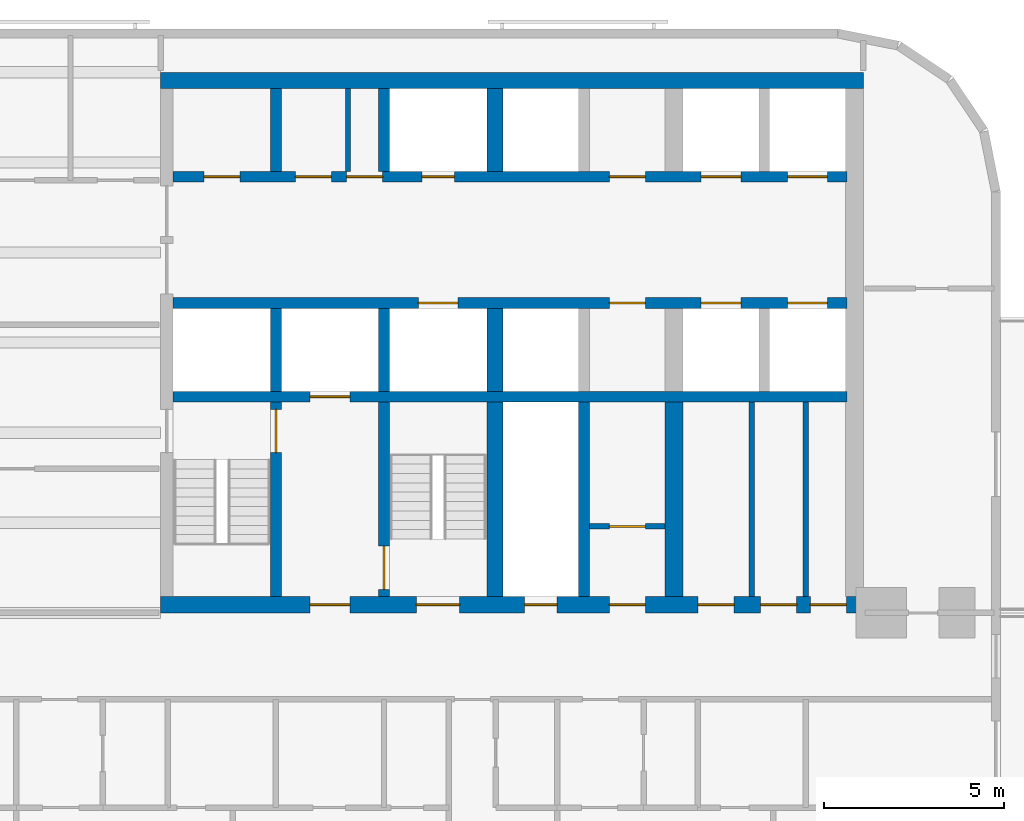
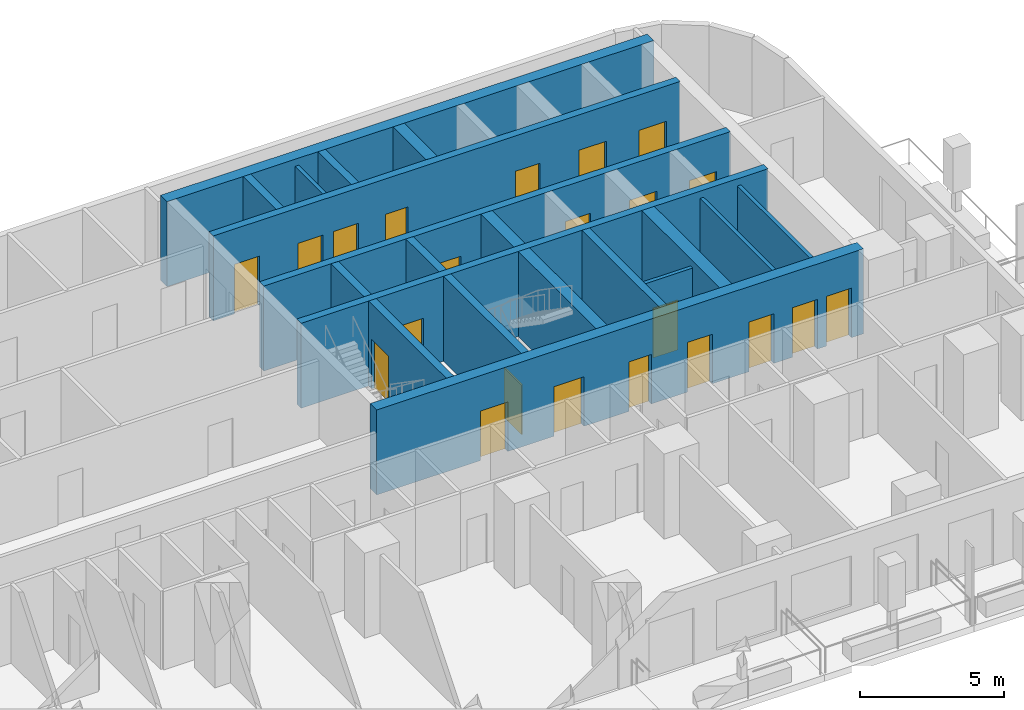
# One storey, part 8 of 15: 22 doors, 20 walls, 22 openings.
"""IFC4 building model written with IfcOpenShell, lengths in metres."""

from ifc_helpers import new_model, si_unit, direction, frame, frame_2d, origin, place, context, subcontext, project, spatial, rectangle, extrude, material, layer, layer_set, type_object, element, fill, save


model = new_model("IFC4")

# Units and contexts
model_context = context("Model", 3, precision=1e-05, world=origin(), true_north=direction((0.0, 1.0)))
body_context = subcontext(model_context, "Body", "Model", "MODEL_VIEW")
ifc_project = project(units=[si_unit("LENGTHUNIT", "METRE"), si_unit("AREAUNIT", "SQUARE_METRE"), si_unit("VOLUMEUNIT", "CUBIC_METRE"), si_unit("PLANEANGLEUNIT", "RADIAN"), si_unit("MASSUNIT", "GRAM", prefix="KILO")], contexts=[model_context])

# Site, building, storey
site_placement = place(None, origin())
site = spatial("IfcSite", under=ifc_project, at=site_placement, CompositionType="ELEMENT")
building_placement = place(site_placement, origin())
building = spatial("IfcBuilding", under=site, at=building_placement, Name="Torana Hotel and Residences", CompositionType="ELEMENT")
storey_placement = place(building_placement, frame((0.0, 0.0, 49.199951171875)))
storey = spatial("IfcBuildingStorey", under=building, at=storey_placement, Name="L11", CompositionType="ELEMENT", Elevation=49.199951171875)

# Wall, openings, doors
ifc_material_1 = material(Name="Concrete C80/95", Category="concrete")
ifc_layer_1 = layer(ifc_material_1, 0.300048828125)
ifc_layer_set_1 = layer_set([ifc_layer_1], Name="CORE WALL 300 C80/95")
wall_type_1 = type_object("IfcWallType", Name="CORE WALL 300 C80/95", PredefinedType="SHEAR", material=ifc_layer_set_1)
wall_1_placement = place(storey_placement, frame((10.35009765625, -2.89990234375, 0.0), z_axis=(0.0, 0.0, 1.0), x_axis=(1.0, 0.0, 0.0)))
wall_1 = element("IfcWall", 1, at=wall_1_placement, inside=storey, type_object=wall_type_1, Name="Core wall E row-N", PredefinedType="SHEAR", context=body_context, shape_type="SweptSolid", body=[
    extrude(rectangle(XDim=18.699951171875, YDim=0.300048828125, at=frame_2d((9.35009765625, 0.0))), origin(), (0.0, 0.0, 1.0), 3.60009765625),
])
opening_1_placement = place(wall_1_placement, frame((14.64990234375, 0.0, 0.0)))
opening_1 = element("IfcOpeningElement", 2, at=opening_1_placement, cuts=wall_1, Name="Opening LD", PredefinedType="OPENING", context=body_context, shape_type="SweptSolid", body=[
    extrude(rectangle(XDim=1.10009765625, YDim=2.10009765625, at=frame_2d((0.550048828125, 1.050048828125))), frame((0.0, 0.159912109375, 0.0), z_axis=(0.0, -1.0, 0.0), x_axis=(1.0, 0.0, 0.0)), (0.0, 0.0, 1.0), 0.320068359375),
])
opening_2_placement = place(wall_1_placement, frame((17.050048828125, 0.0, 0.0)))
opening_2 = element("IfcOpeningElement", 3, at=opening_2_placement, cuts=wall_1, Name="Opening LD", PredefinedType="OPENING", context=body_context, shape_type="SweptSolid", body=[
    extrude(rectangle(XDim=1.10009765625, YDim=2.10009765625, at=frame_2d((0.550048828125, 1.050048828125))), frame((0.0, 0.159912109375, 0.0), z_axis=(0.0, -1.0, 0.0), x_axis=(1.0, 0.0, 0.0)), (0.0, 0.0, 1.0), 0.320068359375),
])
opening_3_placement = place(wall_1_placement, frame((6.89990234375, 0.0, 0.0)))
opening_3 = element("IfcOpeningElement", 4, at=opening_3_placement, cuts=wall_1, Name="Opening L11-29", PredefinedType="OPENING", context=body_context, shape_type="SweptSolid", body=[
    extrude(rectangle(XDim=0.89990234375, YDim=2.10009765625, at=frame_2d((0.449951171875, 1.050048828125))), frame((0.0, 0.159912109375, 0.0), z_axis=(0.0, -1.0, 0.0), x_axis=(1.0, 0.0, 0.0)), (0.0, 0.0, 1.0), 0.320068359375),
])
opening_4_placement = place(wall_1_placement, frame((0.85009765625, 0.0, 0.0)))
opening_4 = element("IfcOpeningElement", 5, at=opening_4_placement, cuts=wall_1, Name="Opening L11-30", PredefinedType="OPENING", context=body_context, shape_type="SweptSolid", body=[
    extrude(rectangle(XDim=1.0, YDim=2.10009765625, at=frame_2d((0.5, 1.050048828125))), frame((0.0, 0.159912109375, 0.0), z_axis=(0.0, -1.0, 0.0), x_axis=(1.0, 0.0, 0.0)), (0.0, 0.0, 1.0), 0.320068359375),
])
opening_5_placement = place(wall_1_placement, frame((3.387451171875, 0.0, 0.0)))
opening_5 = element("IfcOpeningElement", 6, at=opening_5_placement, cuts=wall_1, Name="Opening L11-31", PredefinedType="OPENING", context=body_context, shape_type="SweptSolid", body=[
    extrude(rectangle(XDim=1.0, YDim=2.10009765625, at=frame_2d((0.5, 1.050048828125))), frame((0.0, 0.159912109375, 0.0), z_axis=(0.0, -1.0, 0.0), x_axis=(1.0, 0.0, 0.0)), (0.0, 0.0, 1.0), 0.320068359375),
])
opening_6_placement = place(wall_1_placement, frame((4.8125, 0.0, 0.0)))
opening_6 = element("IfcOpeningElement", 7, at=opening_6_placement, cuts=wall_1, Name="Opening L11-32", PredefinedType="OPENING", context=body_context, shape_type="SweptSolid", body=[
    extrude(rectangle(XDim=1.0, YDim=2.10009765625, at=frame_2d((0.5, 1.050048828125))), frame((0.0, 0.159912109375, 0.0), z_axis=(0.0, -1.0, 0.0), x_axis=(1.0, 0.0, 0.0)), (0.0, 0.0, 1.0), 0.320068359375),
])
opening_7_placement = place(wall_1_placement, frame((12.10009765625, 0.0, 0.0)))
opening_7 = element("IfcOpeningElement", 8, at=opening_7_placement, cuts=wall_1, Name="Opening L11-33", PredefinedType="OPENING", context=body_context, shape_type="SweptSolid", body=[
    extrude(rectangle(XDim=1.0, YDim=2.10009765625, at=frame_2d((0.5, 1.050048828125))), frame((0.0, 0.159912109375, 0.0), z_axis=(0.0, -1.0, 0.0), x_axis=(1.0, 0.0, 0.0)), (0.0, 0.0, 1.0), 0.320068359375),
])
ifc_material_2 = material(Name="Steel S235", Category="steel")
door_type_1 = type_object("IfcDoorType", Name="CORE ROOM FIRE DOOR D14 1000x2100", OperationType="SINGLE_SWING_LEFT", PredefinedType="DOOR", material=ifc_material_2)
door_1_placement = place(opening_4_placement, origin())
door_1 = element("IfcDoor", 9, at=door_1_placement, inside=storey, type_object=door_type_1, Name="N0 door L11", OperationType="SINGLE_SWING_RIGHT", OverallHeight=2.10009765625, OverallWidth=1.0, PredefinedType="DOOR", context=body_context, shape_type="SweptSolid", body=[
    extrude(rectangle(XDim=1.0, YDim=2.10009765625, at=frame_2d((0.5, 1.050048828125))), frame((0.0, 0.02490234375, 0.0), z_axis=(0.0, -1.0, 0.0), x_axis=(1.0, 0.0, 0.0)), (0.0, 0.0, 1.0), 0.050048828125),
])
fill(opening_4, door_1)
door_2_placement = place(opening_5_placement, origin())
door_2 = element("IfcDoor", 10, at=door_2_placement, inside=storey, type_object=door_type_1, Name="N1A door L11", OperationType="SINGLE_SWING_RIGHT", OverallHeight=2.10009765625, OverallWidth=1.0, PredefinedType="DOOR", context=body_context, shape_type="SweptSolid", body=[
    extrude(rectangle(XDim=1.0, YDim=2.10009765625, at=frame_2d((0.5, 1.050048828125))), frame((0.0, 0.02490234375, 0.0), z_axis=(0.0, -1.0, 0.0), x_axis=(1.0, 0.0, 0.0)), (0.0, 0.0, 1.0), 0.050048828125),
])
fill(opening_5, door_2)
door_3_placement = place(opening_6_placement, origin())
door_3 = element("IfcDoor", 11, at=door_3_placement, inside=storey, type_object=door_type_1, Name="N1B door L11", OperationType="SINGLE_SWING_LEFT", OverallHeight=2.10009765625, OverallWidth=1.0, PredefinedType="DOOR", context=body_context, shape_type="SweptSolid", body=[
    extrude(rectangle(XDim=1.0, YDim=2.10009765625, at=frame_2d((0.5, 1.050048828125))), frame((0.0, 0.02490234375, 0.0), z_axis=(0.0, -1.0, 0.0), x_axis=(1.0, 0.0, 0.0)), (0.0, 0.0, 1.0), 0.050048828125),
])
fill(opening_6, door_3)
door_4_placement = place(opening_7_placement, origin())
door_4 = element("IfcDoor", 12, at=door_4_placement, inside=storey, type_object=door_type_1, Name="Free-M3 door L11", OperationType="SINGLE_SWING_RIGHT", OverallHeight=2.10009765625, OverallWidth=1.0, PredefinedType="DOOR", context=body_context, shape_type="SweptSolid", body=[
    extrude(rectangle(XDim=1.0, YDim=2.10009765625, at=frame_2d((0.5, 1.050048828125))), frame((0.0, 0.02490234375, 0.0), z_axis=(0.0, -1.0, 0.0), x_axis=(1.0, 0.0, 0.0)), (0.0, 0.0, 1.0), 0.050048828125),
])
fill(opening_7, door_4)
ifc_material_3 = material(Name="Stainless steel 316", Category="steel")
door_type_2 = type_object("IfcDoorType", Name="LIFT LANDING DOOR LD 1100x2100", OperationType="DOUBLE_DOOR_SLIDING", PredefinedType="USERDEFINED", material=ifc_material_3)
door_5_placement = place(opening_1_placement, origin())
door_5 = element("IfcDoor", 13, at=door_5_placement, inside=storey, type_object=door_type_2, Name="Lift landing door L5 L11", ObjectType="LIFT LANDING DOOR", OperationType="DOUBLE_DOOR_SLIDING", OverallHeight=2.10009765625, OverallWidth=1.10009765625, PredefinedType="USERDEFINED", context=body_context, shape_type="SweptSolid", body=[
    extrude(rectangle(XDim=1.10009765625, YDim=2.10009765625, at=frame_2d((0.550048828125, 1.050048828125))), frame((0.0, 0.02490234375, 0.0), z_axis=(0.0, -1.0, 0.0), x_axis=(1.0, 0.0, 0.0)), (0.0, 0.0, 1.0), 0.050048828125),
])
fill(opening_1, door_5)
door_6_placement = place(opening_2_placement, origin())
door_6 = element("IfcDoor", 14, at=door_6_placement, inside=storey, type_object=door_type_2, Name="Lift landing door L6 L11", ObjectType="LIFT LANDING DOOR", OperationType="DOUBLE_DOOR_SLIDING", OverallHeight=2.10009765625, OverallWidth=1.10009765625, PredefinedType="USERDEFINED", context=body_context, shape_type="SweptSolid", body=[
    extrude(rectangle(XDim=1.10009765625, YDim=2.10009765625, at=frame_2d((0.550048828125, 1.050048828125))), frame((0.0, 0.02490234375, 0.0), z_axis=(0.0, -1.0, 0.0), x_axis=(1.0, 0.0, 0.0)), (0.0, 0.0, 1.0), 0.050048828125),
])
fill(opening_2, door_6)
ifc_material_4 = material(Name="Steel S235", Category="steel")
door_type_3 = type_object("IfcDoorType", Name="RISER ACCESS DOOR D5 900x2100", OperationType="SINGLE_SWING_LEFT", PredefinedType="DOOR", material=ifc_material_4)
door_7_placement = place(opening_3_placement, origin())
door_7 = element("IfcDoor", 15, at=door_7_placement, inside=storey, type_object=door_type_3, Name="N2 door L11", OperationType="SINGLE_SWING_RIGHT", OverallHeight=2.10009765625, OverallWidth=0.89990234375, PredefinedType="DOOR", context=body_context, shape_type="SweptSolid", body=[
    extrude(rectangle(XDim=0.89990234375, YDim=2.10009765625, at=frame_2d((0.449951171875, 1.050048828125))), frame((0.0, 0.02490234375, 0.0), z_axis=(0.0, -1.0, 0.0), x_axis=(1.0, 0.0, 0.0)), (0.0, 0.0, 1.0), 0.050048828125),
])
fill(opening_3, door_7)

wall_2_placement = place(storey_placement, frame((10.35009765625, -6.39990234375, 0.0), z_axis=(0.0, 0.0, 1.0), x_axis=(1.0, 0.0, 0.0)))
wall_2 = element("IfcWall", 16, at=wall_2_placement, inside=storey, type_object=wall_type_1, Name="Core wall E row-S", PredefinedType="SHEAR", context=body_context, shape_type="SweptSolid", body=[
    extrude(rectangle(XDim=18.699951171875, YDim=0.300048828125, at=frame_2d((9.35009765625, 0.0))), origin(), (0.0, 0.0, 1.0), 3.60009765625),
])
opening_8_placement = place(wall_2_placement, frame((14.64990234375, 0.0, 0.0)))
opening_8 = element("IfcOpeningElement", 17, at=opening_8_placement, cuts=wall_2, Name="Opening LD", PredefinedType="OPENING", context=body_context, shape_type="SweptSolid", body=[
    extrude(rectangle(XDim=1.10009765625, YDim=2.10009765625, at=frame_2d((0.550048828125, 1.050048828125))), frame((0.0, 0.159912109375, 0.0), z_axis=(0.0, -1.0, 0.0), x_axis=(1.0, 0.0, 0.0)), (0.0, 0.0, 1.0), 0.320068359375),
])
opening_9_placement = place(wall_2_placement, frame((17.050048828125, 0.0, 0.0)))
opening_9 = element("IfcOpeningElement", 18, at=opening_9_placement, cuts=wall_2, Name="Opening LD", PredefinedType="OPENING", context=body_context, shape_type="SweptSolid", body=[
    extrude(rectangle(XDim=1.10009765625, YDim=2.10009765625, at=frame_2d((0.550048828125, 1.050048828125))), frame((0.0, 0.159912109375, 0.0), z_axis=(0.0, -1.0, 0.0), x_axis=(1.0, 0.0, 0.0)), (0.0, 0.0, 1.0), 0.320068359375),
])
opening_10_placement = place(wall_2_placement, frame((6.800048828125, 0.0, 0.0)))
opening_10 = element("IfcOpeningElement", 19, at=opening_10_placement, cuts=wall_2, Name="Opening LD", PredefinedType="OPENING", context=body_context, shape_type="SweptSolid", body=[
    extrude(rectangle(XDim=1.10009765625, YDim=2.10009765625, at=frame_2d((0.550048828125, 1.050048828125))), frame((0.0, 0.159912109375, 0.0), z_axis=(0.0, -1.0, 0.0), x_axis=(1.0, 0.0, 0.0)), (0.0, 0.0, 1.0), 0.320068359375),
])
opening_11_placement = place(wall_2_placement, frame((12.10009765625, 0.0, 0.0)))
opening_11 = element("IfcOpeningElement", 20, at=opening_11_placement, cuts=wall_2, Name="Opening L11-34", PredefinedType="OPENING", context=body_context, shape_type="SweptSolid", body=[
    extrude(rectangle(XDim=1.0, YDim=2.10009765625, at=frame_2d((0.5, 1.050048828125))), frame((0.0, 0.159912109375, 0.0), z_axis=(0.0, -1.0, 0.0), x_axis=(1.0, 0.0, 0.0)), (0.0, 0.0, 1.0), 0.320068359375),
])
door_8_placement = place(opening_11_placement, frame((0.5, 0.0, 0.0), z_axis=(0.0, 0.0, 1.0), x_axis=(-1.0, 0.0, 0.0)))
door_8 = element("IfcDoor", 21, at=door_8_placement, inside=storey, type_object=door_type_1, Name="Free-M4 door L11", OperationType="SINGLE_SWING_LEFT", OverallHeight=2.10009765625, OverallWidth=1.0, PredefinedType="DOOR", context=body_context, shape_type="SweptSolid", body=[
    extrude(rectangle(XDim=1.0, YDim=2.10009765625, at=frame_2d((0.0, 1.050048828125))), frame((0.0, -0.02490234375, 0.0), z_axis=(0.0, 1.0, 0.0), x_axis=(-1.0, 0.0, 0.0)), (0.0, 0.0, 1.0), 0.050048828125),
])
fill(opening_11, door_8)
door_9_placement = place(opening_8_placement, origin())
door_9 = element("IfcDoor", 22, at=door_9_placement, inside=storey, type_object=door_type_2, Name="Lift landing door L7 L11", ObjectType="LIFT LANDING DOOR", OperationType="DOUBLE_DOOR_SLIDING", OverallHeight=2.10009765625, OverallWidth=1.10009765625, PredefinedType="USERDEFINED", context=body_context, shape_type="SweptSolid", body=[
    extrude(rectangle(XDim=1.10009765625, YDim=2.10009765625, at=frame_2d((0.550048828125, 1.050048828125))), frame((0.0, 0.02490234375, 0.0), z_axis=(0.0, -1.0, 0.0), x_axis=(1.0, 0.0, 0.0)), (0.0, 0.0, 1.0), 0.050048828125),
])
fill(opening_8, door_9)
door_10_placement = place(opening_9_placement, origin())
door_10 = element("IfcDoor", 23, at=door_10_placement, inside=storey, type_object=door_type_2, Name="Lift landing door L8 L11", ObjectType="LIFT LANDING DOOR", OperationType="DOUBLE_DOOR_SLIDING", OverallHeight=2.10009765625, OverallWidth=1.10009765625, PredefinedType="USERDEFINED", context=body_context, shape_type="SweptSolid", body=[
    extrude(rectangle(XDim=1.10009765625, YDim=2.10009765625, at=frame_2d((0.550048828125, 1.050048828125))), frame((0.0, 0.02490234375, 0.0), z_axis=(0.0, -1.0, 0.0), x_axis=(1.0, 0.0, 0.0)), (0.0, 0.0, 1.0), 0.050048828125),
])
fill(opening_9, door_10)
door_11_placement = place(opening_10_placement, origin())
door_11 = element("IfcDoor", 24, at=door_11_placement, inside=storey, type_object=door_type_2, Name="Lift landing door SV2 L11", ObjectType="LIFT LANDING DOOR", OperationType="DOUBLE_DOOR_SLIDING", OverallHeight=2.10009765625, OverallWidth=1.10009765625, PredefinedType="USERDEFINED", context=body_context, shape_type="SweptSolid", body=[
    extrude(rectangle(XDim=1.10009765625, YDim=2.10009765625, at=frame_2d((0.550048828125, 1.050048828125))), frame((0.0, 0.02490234375, 0.0), z_axis=(0.0, -1.0, 0.0), x_axis=(1.0, 0.0, 0.0)), (0.0, 0.0, 1.0), 0.050048828125),
])
fill(opening_10, door_11)

# Wall, opening, door
wall_3_placement = place(storey_placement, frame((10.35009765625, -9.0, 0.0), z_axis=(0.0, 0.0, 1.0), x_axis=(1.0, 0.0, 0.0)))
wall_3 = element("IfcWall", 25, at=wall_3_placement, inside=storey, type_object=wall_type_1, Name="Core wall E band", PredefinedType="SHEAR", context=body_context, shape_type="SweptSolid", body=[
    extrude(rectangle(XDim=18.699951171875, YDim=0.300048828125, at=frame_2d((9.35009765625, 0.0))), origin(), (0.0, 0.0, 1.0), 3.60009765625),
])
opening_12_placement = place(wall_3_placement, frame((3.800048828125, 0.0, 0.0)))
opening_12 = element("IfcOpeningElement", 26, at=opening_12_placement, cuts=wall_3, Name="Opening LD", PredefinedType="OPENING", context=body_context, shape_type="SweptSolid", body=[
    extrude(rectangle(XDim=1.10009765625, YDim=2.10009765625, at=frame_2d((0.550048828125, 1.050048828125))), frame((0.0, 0.159912109375, 0.0), z_axis=(0.0, -1.0, 0.0), x_axis=(1.0, 0.0, 0.0)), (0.0, 0.0, 1.0), 0.320068359375),
])
door_12_placement = place(opening_12_placement, origin())
door_12 = element("IfcDoor", 27, at=door_12_placement, inside=storey, type_object=door_type_2, Name="Lift landing door FF2 L11", ObjectType="LIFT LANDING DOOR", OperationType="DOUBLE_DOOR_SLIDING", OverallHeight=2.10009765625, OverallWidth=1.10009765625, PredefinedType="USERDEFINED", context=body_context, shape_type="SweptSolid", body=[
    extrude(rectangle(XDim=1.10009765625, YDim=2.10009765625, at=frame_2d((0.550048828125, 1.050048828125))), frame((0.0, 0.02490234375, 0.0), z_axis=(0.0, -1.0, 0.0), x_axis=(1.0, 0.0, 0.0)), (0.0, 0.0, 1.0), 0.050048828125),
])
fill(opening_12, door_12)

# Walls
for number, where, z_axis, x_axis, name in (
    (28, (13.199951171875, -2.75, 0.0), (0.0, 0.0, 1.0), (0.0, 1.0, 0.0), "Core wall E x3.05-N"),
    (29, (13.199951171875, -8.85009765625, 0.0), (0.0, 0.0, 1.0), (0.0, 1.0, 0.0), "Core wall E x3.05-S"),
):
    element("IfcWall", number, at=place(storey_placement, frame(where, z_axis=z_axis, x_axis=x_axis)), inside=storey, type_object=wall_type_1, Name=name, PredefinedType="SHEAR", context=body_context, shape_type="SweptSolid", body=[
        extrude(rectangle(XDim=2.300048828125, YDim=0.300048828125, at=frame_2d((1.14990234375, 0.0))), origin(), (0.0, 0.0, 1.0), 3.60009765625),
    ])

# Wall, opening, door
wall_4_placement = place(storey_placement, frame((13.199951171875, -14.550048828125, 0.0), z_axis=(0.0, 0.0, 1.0), x_axis=(0.0, 1.0, 0.0)))
wall_4 = element("IfcWall", 30, at=wall_4_placement, inside=storey, type_object=wall_type_1, Name="Core wall E x3.05-band", PredefinedType="SHEAR", context=body_context, shape_type="SweptSolid", body=[
    extrude(rectangle(XDim=5.400146484375, YDim=0.300048828125, at=frame_2d((2.7001953125, 0.0))), origin(), (0.0, 0.0, 1.0), 3.60009765625),
])
opening_13_placement = place(wall_4_placement, frame((4.0, 0.0, 0.0)))
opening_13 = element("IfcOpeningElement", 31, at=opening_13_placement, cuts=wall_4, Name="Opening L11-35", PredefinedType="OPENING", context=body_context, shape_type="SweptSolid", body=[
    extrude(rectangle(XDim=1.199951171875, YDim=2.10009765625, at=frame_2d((0.60009765625, 1.050048828125))), frame((0.0, 0.159912109375, 0.0), z_axis=(0.0, -1.0, 0.0), x_axis=(1.0, 0.0, 0.0)), (0.0, 0.0, 1.0), 0.320068359375),
])
ifc_material_5 = material(Name="Steel S235", Category="steel")
door_type_4 = type_object("IfcDoorType", Name="STAIR FIRE DOOR D3 1200x2100", OperationType="SINGLE_SWING_LEFT", PredefinedType="DOOR", material=ifc_material_5)
door_13_placement = place(opening_13_placement, origin())
door_13 = element("IfcDoor", 32, at=door_13_placement, inside=storey, type_object=door_type_4, Name="Stair-A-lobby door L11", OperationType="SINGLE_SWING_LEFT", OverallHeight=2.10009765625, OverallWidth=1.199951171875, PredefinedType="DOOR", context=body_context, shape_type="SweptSolid", body=[
    extrude(rectangle(XDim=1.199951171875, YDim=2.10009765625, at=frame_2d((0.60009765625, 1.050048828125))), frame((0.0, 0.02490234375, 0.0), z_axis=(0.0, -1.0, 0.0), x_axis=(1.0, 0.0, 0.0)), (0.0, 0.0, 1.0), 0.050048828125),
])
fill(opening_13, door_13)

# Walls
for number, where, z_axis, x_axis, name in (
    (33, (16.199951171875, -2.75, 0.0), (0.0, 0.0, 1.0), (0.0, 1.0, 0.0), "Core wall E x6.05-N"),
    (34, (16.199951171875, -8.85009765625, 0.0), (0.0, 0.0, 1.0), (0.0, 1.0, 0.0), "Core wall E x6.05-S"),
):
    element("IfcWall", number, at=place(storey_placement, frame(where, z_axis=z_axis, x_axis=x_axis)), inside=storey, type_object=wall_type_1, Name=name, PredefinedType="SHEAR", context=body_context, shape_type="SweptSolid", body=[
        extrude(rectangle(XDim=2.300048828125, YDim=0.300048828125, at=frame_2d((1.14990234375, 0.0))), origin(), (0.0, 0.0, 1.0), 3.60009765625),
    ])

# Wall, opening, door
wall_5_placement = place(storey_placement, frame((16.199951171875, -14.550048828125, 0.0), z_axis=(0.0, 0.0, 1.0), x_axis=(0.0, 1.0, 0.0)))
wall_5 = element("IfcWall", 35, at=wall_5_placement, inside=storey, type_object=wall_type_1, Name="Core wall E x6.05-band", PredefinedType="SHEAR", context=body_context, shape_type="SweptSolid", body=[
    extrude(rectangle(XDim=5.400146484375, YDim=0.300048828125, at=frame_2d((2.7001953125, 0.0))), origin(), (0.0, 0.0, 1.0), 3.60009765625),
])
opening_14_placement = place(wall_5_placement, frame((0.199951171875, 0.0, 0.0)))
opening_14 = element("IfcOpeningElement", 36, at=opening_14_placement, cuts=wall_5, Name="Opening L11-36", PredefinedType="OPENING", context=body_context, shape_type="SweptSolid", body=[
    extrude(rectangle(XDim=1.199951171875, YDim=2.10009765625, at=frame_2d((0.60009765625, 1.050048828125))), frame((0.0, 0.159912109375, 0.0), z_axis=(0.0, -1.0, 0.0), x_axis=(1.0, 0.0, 0.0)), (0.0, 0.0, 1.0), 0.320068359375),
])
door_14_placement = place(opening_14_placement, frame((0.60009765625, 0.0, 0.0), z_axis=(0.0, 0.0, 1.0), x_axis=(-1.0, 0.0, 0.0)))
door_14 = element("IfcDoor", 37, at=door_14_placement, inside=storey, type_object=door_type_4, Name="Stair-B-lobby door L11", OperationType="SINGLE_SWING_LEFT", OverallHeight=2.10009765625, OverallWidth=1.199951171875, PredefinedType="DOOR", context=body_context, shape_type="SweptSolid", body=[
    extrude(rectangle(XDim=1.199951171875, YDim=2.10009765625, at=frame_2d((0.0, 1.050048828125))), frame((0.0, -0.02490234375, 0.0), z_axis=(0.0, 1.0, 0.0), x_axis=(-1.0, 0.0, 0.0)), (0.0, 0.0, 1.0), 0.050048828125),
])
fill(opening_14, door_14)

# Walls
wall_6_placement = place(storey_placement, frame((21.75, -14.550048828125, 0.0), z_axis=(0.0, 0.0, 1.0), x_axis=(0.0, 1.0, 0.0)))
element("IfcWall", 38, at=wall_6_placement, inside=storey, type_object=wall_type_1, Name="Core wall E mm-band", PredefinedType="SHEAR", context=body_context, shape_type="SweptSolid", body=[
    extrude(rectangle(XDim=5.400146484375, YDim=0.300048828125, at=frame_2d((2.7001953125, 0.0))), origin(), (0.0, 0.0, 1.0), 3.60009765625),
])
ifc_material_6 = material(Name="Concrete C80/95", Category="concrete")
ifc_layer_2 = layer(ifc_material_6, 0.449951171875)
ifc_layer_set_2 = layer_set([ifc_layer_2], Name="CORE WALL 450 C80/95")
wall_type_2 = type_object("IfcWallType", Name="CORE WALL 450 C80/95", PredefinedType="SHEAR", material=ifc_layer_set_2)
wall_7_placement = place(storey_placement, frame((10.0, -0.22509765625, 0.0), z_axis=(0.0, 0.0, 1.0), x_axis=(1.0, 0.0, 0.0)))
element("IfcWall", 39, at=wall_7_placement, inside=storey, type_object=wall_type_2, Name="Core wall E rear", PredefinedType="SHEAR", context=body_context, shape_type="SweptSolid", body=[
    extrude(rectangle(XDim=19.5, YDim=0.449951171875, at=frame_2d((9.75, 0.0))), origin(), (0.0, 0.0, 1.0), 3.60009765625),
])

# Wall, openings, doors
wall_8_placement = place(storey_placement, frame((10.0, -14.77490234375, 0.0), z_axis=(0.0, 0.0, 1.0), x_axis=(1.0, 0.0, 0.0)))
wall_8 = element("IfcWall", 40, at=wall_8_placement, inside=storey, type_object=wall_type_2, Name="Core wall E front", PredefinedType="SHEAR", context=body_context, shape_type="SweptSolid", body=[
    extrude(rectangle(XDim=19.5, YDim=0.449951171875, at=frame_2d((9.75, 0.0))), origin(), (0.0, 0.0, 1.0), 3.60009765625),
])
opening_15_placement = place(wall_8_placement, frame((7.10009765625, 0.0, 0.0)))
opening_15 = element("IfcOpeningElement", 41, at=opening_15_placement, cuts=wall_8, Name="Opening L11-22", PredefinedType="OPENING", context=body_context, shape_type="SweptSolid", body=[
    extrude(rectangle(XDim=1.199951171875, YDim=2.10009765625, at=frame_2d((0.60009765625, 1.050048828125))), frame((0.0, 0.23486328125, 0.0), z_axis=(0.0, -1.0, 0.0), x_axis=(1.0, 0.0, 0.0)), (0.0, 0.0, 1.0), 0.469970703125),
])
opening_16_placement = place(wall_8_placement, frame((4.14990234375, 0.0, 0.0)))
opening_16 = element("IfcOpeningElement", 42, at=opening_16_placement, cuts=wall_8, Name="Opening L11-23", PredefinedType="OPENING", context=body_context, shape_type="SweptSolid", body=[
    extrude(rectangle(XDim=1.10009765625, YDim=2.10009765625, at=frame_2d((0.550048828125, 1.050048828125))), frame((0.0, 0.23486328125, 0.0), z_axis=(0.0, -1.0, 0.0), x_axis=(1.0, 0.0, 0.0)), (0.0, 0.0, 1.0), 0.469970703125),
])
opening_17_placement = place(wall_8_placement, frame((10.10009765625, 0.0, 0.0)))
opening_17 = element("IfcOpeningElement", 43, at=opening_17_placement, cuts=wall_8, Name="Opening L11-24", PredefinedType="OPENING", context=body_context, shape_type="SweptSolid", body=[
    extrude(rectangle(XDim=0.89990234375, YDim=2.10009765625, at=frame_2d((0.449951171875, 1.050048828125))), frame((0.0, 0.23486328125, 0.0), z_axis=(0.0, -1.0, 0.0), x_axis=(1.0, 0.0, 0.0)), (0.0, 0.0, 1.0), 0.469970703125),
])
opening_18_placement = place(wall_8_placement, frame((12.449951171875, 0.0, 0.0)))
opening_18 = element("IfcOpeningElement", 44, at=opening_18_placement, cuts=wall_8, Name="Opening L11-25", PredefinedType="OPENING", context=body_context, shape_type="SweptSolid", body=[
    extrude(rectangle(XDim=1.0, YDim=2.10009765625, at=frame_2d((0.5, 1.050048828125))), frame((0.0, 0.23486328125, 0.0), z_axis=(0.0, -1.0, 0.0), x_axis=(1.0, 0.0, 0.0)), (0.0, 0.0, 1.0), 0.469970703125),
])
opening_19_placement = place(wall_8_placement, frame((14.91259765625, 0.0, 0.0)))
opening_19 = element("IfcOpeningElement", 45, at=opening_19_placement, cuts=wall_8, Name="Opening L11-26", PredefinedType="OPENING", context=body_context, shape_type="SweptSolid", body=[
    extrude(rectangle(XDim=1.0, YDim=2.10009765625, at=frame_2d((0.5, 1.050048828125))), frame((0.0, 0.23486328125, 0.0), z_axis=(0.0, -1.0, 0.0), x_axis=(1.0, 0.0, 0.0)), (0.0, 0.0, 1.0), 0.469970703125),
])
opening_20_placement = place(wall_8_placement, frame((16.64990234375, 0.0, 0.0)))
opening_20 = element("IfcOpeningElement", 46, at=opening_20_placement, cuts=wall_8, Name="Opening L11-27", PredefinedType="OPENING", context=body_context, shape_type="SweptSolid", body=[
    extrude(rectangle(XDim=1.0, YDim=2.10009765625, at=frame_2d((0.5, 1.050048828125))), frame((0.0, 0.23486328125, 0.0), z_axis=(0.0, -1.0, 0.0), x_axis=(1.0, 0.0, 0.0)), (0.0, 0.0, 1.0), 0.469970703125),
])
opening_21_placement = place(wall_8_placement, frame((18.02490234375, 0.0, 0.0)))
opening_21 = element("IfcOpeningElement", 47, at=opening_21_placement, cuts=wall_8, Name="Opening L11-28", PredefinedType="OPENING", context=body_context, shape_type="SweptSolid", body=[
    extrude(rectangle(XDim=1.0, YDim=2.10009765625, at=frame_2d((0.5, 1.050048828125))), frame((0.0, 0.23486328125, 0.0), z_axis=(0.0, -1.0, 0.0), x_axis=(1.0, 0.0, 0.0)), (0.0, 0.0, 1.0), 0.469970703125),
])
door_15_placement = place(opening_18_placement, origin())
door_15 = element("IfcDoor", 48, at=door_15_placement, inside=storey, type_object=door_type_1, Name="M-Room-B door L11", OperationType="SINGLE_SWING_RIGHT", OverallHeight=2.10009765625, OverallWidth=1.0, PredefinedType="DOOR", context=body_context, shape_type="SweptSolid", body=[
    extrude(rectangle(XDim=1.0, YDim=2.10009765625, at=frame_2d((0.5, 1.050048828125))), frame((0.0, 0.02490234375, 0.0), z_axis=(0.0, -1.0, 0.0), x_axis=(1.0, 0.0, 0.0)), (0.0, 0.0, 1.0), 0.050048828125),
])
fill(opening_18, door_15)
door_16_placement = place(opening_19_placement, origin())
door_16 = element("IfcDoor", 49, at=door_16_placement, inside=storey, type_object=door_type_1, Name="L-A door L11", OperationType="SINGLE_SWING_RIGHT", OverallHeight=2.10009765625, OverallWidth=1.0, PredefinedType="DOOR", context=body_context, shape_type="SweptSolid", body=[
    extrude(rectangle(XDim=1.0, YDim=2.10009765625, at=frame_2d((0.5, 1.050048828125))), frame((0.0, 0.02490234375, 0.0), z_axis=(0.0, -1.0, 0.0), x_axis=(1.0, 0.0, 0.0)), (0.0, 0.0, 1.0), 0.050048828125),
])
fill(opening_19, door_16)
door_17_placement = place(opening_20_placement, origin())
door_17 = element("IfcDoor", 50, at=door_17_placement, inside=storey, type_object=door_type_1, Name="L-B door L11", OperationType="SINGLE_SWING_RIGHT", OverallHeight=2.10009765625, OverallWidth=1.0, PredefinedType="DOOR", context=body_context, shape_type="SweptSolid", body=[
    extrude(rectangle(XDim=1.0, YDim=2.10009765625, at=frame_2d((0.5, 1.050048828125))), frame((0.0, 0.02490234375, 0.0), z_axis=(0.0, -1.0, 0.0), x_axis=(1.0, 0.0, 0.0)), (0.0, 0.0, 1.0), 0.050048828125),
])
fill(opening_20, door_17)
door_18_placement = place(opening_21_placement, origin())
door_18 = element("IfcDoor", 51, at=door_18_placement, inside=storey, type_object=door_type_1, Name="L-C door L11", OperationType="SINGLE_SWING_RIGHT", OverallHeight=2.10009765625, OverallWidth=1.0, PredefinedType="DOOR", context=body_context, shape_type="SweptSolid", body=[
    extrude(rectangle(XDim=1.0, YDim=2.10009765625, at=frame_2d((0.5, 1.050048828125))), frame((0.0, 0.02490234375, 0.0), z_axis=(0.0, -1.0, 0.0), x_axis=(1.0, 0.0, 0.0)), (0.0, 0.0, 1.0), 0.050048828125),
])
fill(opening_21, door_18)
ifc_material_7 = material(Name="Steel S235", Category="steel")
door_type_5 = type_object("IfcDoorType", Name="FIRE-FIGHTING LOBBY DOOR D8 1100x2100", OperationType="SINGLE_SWING_LEFT", PredefinedType="DOOR", material=ifc_material_7)
door_19_placement = place(opening_16_placement, origin())
door_19 = element("IfcDoor", 52, at=door_19_placement, inside=storey, type_object=door_type_5, Name="FF-lobby door L11", OperationType="SINGLE_SWING_RIGHT", OverallHeight=2.10009765625, OverallWidth=1.10009765625, PredefinedType="DOOR", context=body_context, shape_type="SweptSolid", body=[
    extrude(rectangle(XDim=1.10009765625, YDim=2.10009765625, at=frame_2d((0.550048828125, 1.050048828125))), frame((0.0, 0.02490234375, 0.0), z_axis=(0.0, -1.0, 0.0), x_axis=(1.0, 0.0, 0.0)), (0.0, 0.0, 1.0), 0.050048828125),
])
fill(opening_16, door_19)
door_20_placement = place(opening_17_placement, origin())
door_20 = element("IfcDoor", 53, at=door_20_placement, inside=storey, type_object=door_type_3, Name="M-Riser door L11", OperationType="SINGLE_SWING_RIGHT", OverallHeight=2.10009765625, OverallWidth=0.89990234375, PredefinedType="DOOR", context=body_context, shape_type="SweptSolid", body=[
    extrude(rectangle(XDim=0.89990234375, YDim=2.10009765625, at=frame_2d((0.449951171875, 1.050048828125))), frame((0.0, 0.02490234375, 0.0), z_axis=(0.0, -1.0, 0.0), x_axis=(1.0, 0.0, 0.0)), (0.0, 0.0, 1.0), 0.050048828125),
])
fill(opening_17, door_20)
door_21_placement = place(opening_15_placement, origin())
door_21 = element("IfcDoor", 54, at=door_21_placement, inside=storey, type_object=door_type_4, Name="Stair-B door L11", OperationType="SINGLE_SWING_RIGHT", OverallHeight=2.10009765625, OverallWidth=1.199951171875, PredefinedType="DOOR", context=body_context, shape_type="SweptSolid", body=[
    extrude(rectangle(XDim=1.199951171875, YDim=2.10009765625, at=frame_2d((0.60009765625, 1.050048828125))), frame((0.0, 0.02490234375, 0.0), z_axis=(0.0, -1.0, 0.0), x_axis=(1.0, 0.0, 0.0)), (0.0, 0.0, 1.0), 0.050048828125),
])
fill(opening_15, door_21)

# Walls
for number, where, z_axis, x_axis, name in (
    (55, (19.27490234375, -2.75, 0.0), (0.0, 0.0, 1.0), (0.0, 1.0, 0.0), "Core wall E hm-N"),
    (56, (19.27490234375, -8.85009765625, 0.0), (0.0, 0.0, 1.0), (0.0, 1.0, 0.0), "Core wall E hm-S"),
):
    element("IfcWall", number, at=place(storey_placement, frame(where, z_axis=z_axis, x_axis=x_axis)), inside=storey, type_object=wall_type_2, Name=name, PredefinedType="SHEAR", context=body_context, shape_type="SweptSolid", body=[
        extrude(rectangle(XDim=2.300048828125, YDim=0.449951171875, at=frame_2d((1.14990234375, 0.0))), origin(), (0.0, 0.0, 1.0), 3.60009765625),
    ])
wall_9_placement = place(storey_placement, frame((19.27490234375, -14.550048828125, 0.0), z_axis=(0.0, 0.0, 1.0), x_axis=(0.0, 1.0, 0.0)))
element("IfcWall", 57, at=wall_9_placement, inside=storey, type_object=wall_type_2, Name="Core wall E hm-band", PredefinedType="SHEAR", context=body_context, shape_type="SweptSolid", body=[
    extrude(rectangle(XDim=5.400146484375, YDim=0.449951171875, at=frame_2d((2.7001953125, 0.0))), origin(), (0.0, 0.0, 1.0), 3.60009765625),
])
ifc_material_8 = material(Name="Concrete C80/95", Category="concrete")
ifc_layer_3 = layer(ifc_material_8, 0.5)
ifc_layer_set_3 = layer_set([ifc_layer_3], Name="CORE WALL 500 C80/95")
wall_type_3 = type_object("IfcWallType", Name="CORE WALL 500 C80/95", PredefinedType="SHEAR", material=ifc_layer_set_3)
wall_10_placement = place(storey_placement, frame((24.25, -14.550048828125, 0.0), z_axis=(0.0, 0.0, 1.0), x_axis=(0.0, 1.0, 0.0)))
element("IfcWall", 58, at=wall_10_placement, inside=storey, type_object=wall_type_3, Name="Core wall E ml-band", PredefinedType="SHEAR", context=body_context, shape_type="SweptSolid", body=[
    extrude(rectangle(XDim=5.400146484375, YDim=0.5, at=frame_2d((2.7001953125, 0.0))), origin(), (0.0, 0.0, 1.0), 3.60009765625),
])
ifc_material_9 = material(Name="Gypsum plaster")
ifc_layer_4 = layer(ifc_material_9, 0.014892578125, Name="Plaster", Category="finish")
ifc_material_10 = material(Name="Concrete blockwork", Category="masonry")
ifc_layer_5 = layer(ifc_material_10, 0.1201171875, Name="Blockwork", Category="structure")
ifc_layer_6 = layer(ifc_material_9, 0.014892578125, Name="Plaster", Category="finish")
ifc_layer_set_4 = layer_set([ifc_layer_4, ifc_layer_5, ifc_layer_6], Name="FIRE PARTITION 150 BLOCKWORK")
wall_type_4 = type_object("IfcWallType", Name="FIRE PARTITION 150 BLOCKWORK", PredefinedType="PARTITIONING", material=ifc_layer_set_4)
wall_11_placement = place(storey_placement, frame((15.199951171875, -2.75, 0.0), z_axis=(0.0, 0.0, 1.0), x_axis=(0.0, 1.0, 0.0)))
element("IfcWall", 59, at=wall_11_placement, inside=storey, type_object=wall_type_4, Name="Core partition L11", PredefinedType="PARTITIONING", context=body_context, shape_type="SweptSolid", body=[
    extrude(rectangle(XDim=2.300048828125, YDim=0.14990234375, at=frame_2d((1.14990234375, 0.0))), origin(), (0.0, 0.0, 1.0), 3.300048828125),
])

# Wall, opening, door
wall_12_placement = place(storey_placement, frame((21.89990234375, -12.60009765625, 0.0), z_axis=(0.0, 0.0, 1.0), x_axis=(1.0, 0.0, 0.0)))
wall_12 = element("IfcWall", 60, at=wall_12_placement, inside=storey, type_object=wall_type_4, Name="Core partition L11", PredefinedType="PARTITIONING", context=body_context, shape_type="SweptSolid", body=[
    extrude(rectangle(XDim=2.10009765625, YDim=0.14990234375, at=frame_2d((1.050048828125, 0.0))), origin(), (0.0, 0.0, 1.0), 3.300048828125),
])
opening_22_placement = place(wall_12_placement, frame((0.550048828125, 0.0, 0.0)))
opening_22 = element("IfcOpeningElement", 61, at=opening_22_placement, cuts=wall_12, Name="Opening L11-38", PredefinedType="OPENING", context=body_context, shape_type="SweptSolid", body=[
    extrude(rectangle(XDim=1.0, YDim=2.10009765625, at=frame_2d((0.5, 1.050048828125))), frame((0.0, 0.0849609375, 0.0), z_axis=(0.0, -1.0, 0.0), x_axis=(1.0, 0.0, 0.0)), (0.0, 0.0, 1.0), 0.169921875),
])
door_22_placement = place(opening_22_placement, origin())
door_22 = element("IfcDoor", 62, at=door_22_placement, inside=storey, type_object=door_type_1, Name="Plant room door L11", OperationType="SINGLE_SWING_RIGHT", OverallHeight=2.10009765625, OverallWidth=1.0, PredefinedType="DOOR", context=body_context, shape_type="SweptSolid", body=[
    extrude(rectangle(XDim=1.0, YDim=2.10009765625, at=frame_2d((0.5, 1.050048828125))), frame((0.0, 0.02490234375, 0.0), z_axis=(0.0, -1.0, 0.0), x_axis=(1.0, 0.0, 0.0)), (0.0, 0.0, 1.0), 0.050048828125),
])
fill(opening_22, door_22)

# Walls
for number, where, z_axis, x_axis, name in (
    (63, (26.39990234375, -14.550048828125, 0.0), (0.0, 0.0, 1.0), (0.0, 1.0, 0.0), "Core partition L11"),
    (64, (27.89990234375, -14.550048828125, 0.0), (0.0, 0.0, 1.0), (0.0, 1.0, 0.0), "Core partition L11"),
):
    element("IfcWall", number, at=place(storey_placement, frame(where, z_axis=z_axis, x_axis=x_axis)), inside=storey, type_object=wall_type_4, Name=name, PredefinedType="PARTITIONING", context=body_context, shape_type="SweptSolid", body=[
        extrude(rectangle(XDim=5.400146484375, YDim=0.14990234375, at=frame_2d((2.7001953125, 0.0))), origin(), (0.0, 0.0, 1.0), 3.300048828125),
    ])

save(model, "model.ifc")
